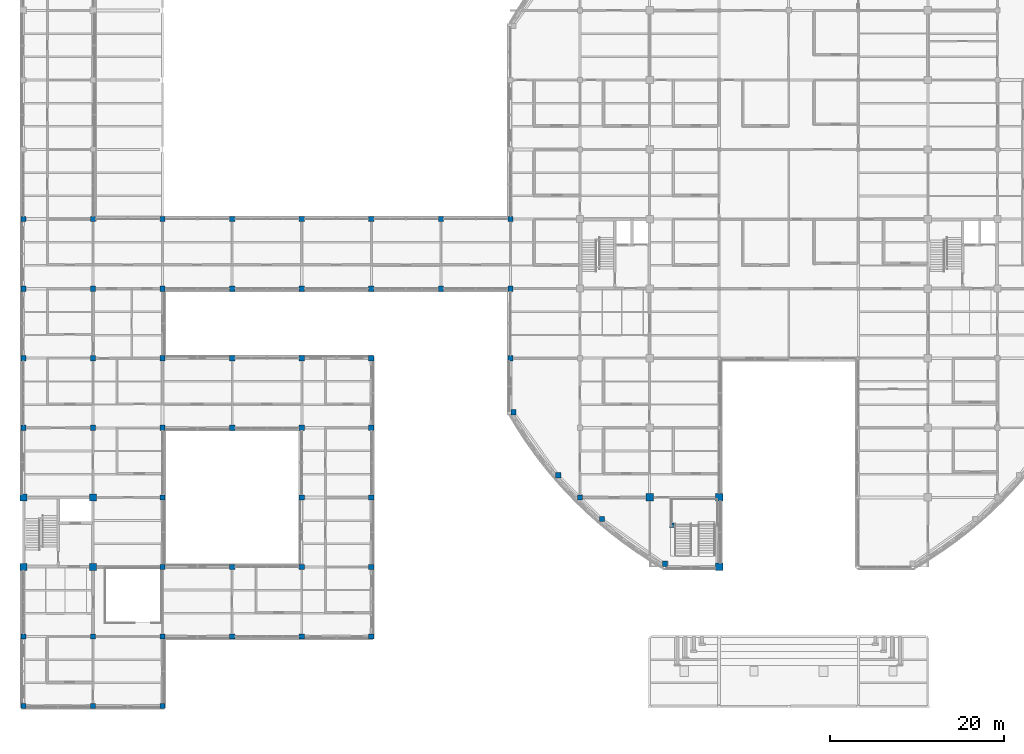
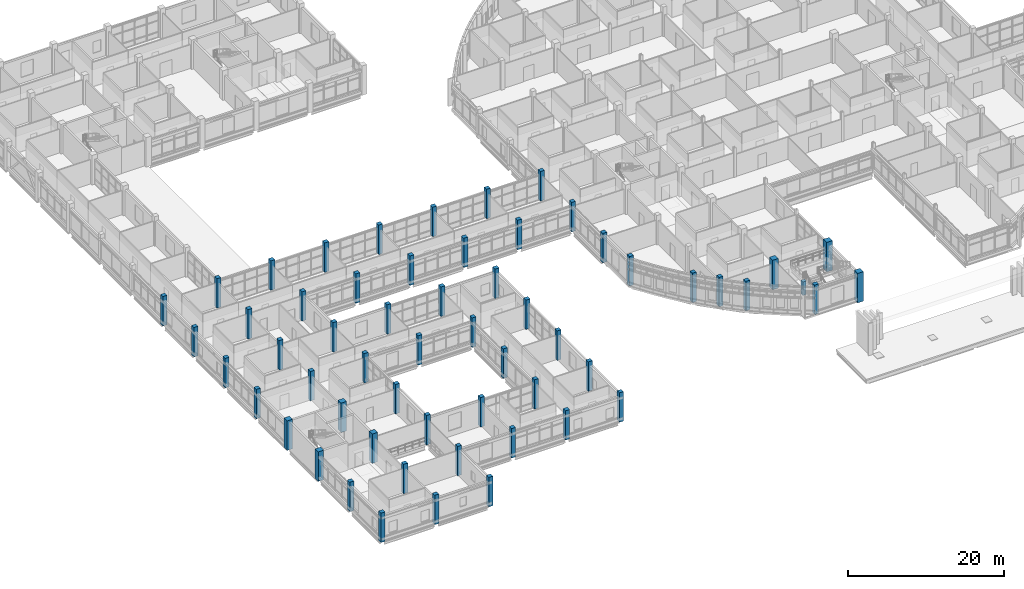
# One storey, part 1 of 121: 58 columns.
"""IFC4 building model written with IfcOpenShell, lengths in metres."""

from ifc_helpers import new_model, si_unit, derived_unit, direction, frame, origin, origin_2d, place, context, subcontext, project, spatial, rectangle, extrude, material, material_profile, profile_set, type_object, element, save


model = new_model("IFC4")

# Units and contexts
model_context = context("Model", 3, precision=1e-05, world=origin(), true_north=direction((0.0, 1.0)))
body_context = subcontext(model_context, "Body", "Model", "MODEL_VIEW")
ifc_project = project(units=[si_unit("LENGTHUNIT", "METRE"), si_unit("AREAUNIT", "SQUARE_METRE"), si_unit("VOLUMEUNIT", "CUBIC_METRE"), si_unit("PLANEANGLEUNIT", "RADIAN"), si_unit("MASSUNIT", "GRAM", prefix="KILO"), derived_unit("THERMALTRANSMITTANCEUNIT", [(si_unit("MASSUNIT", "GRAM", prefix="KILO"), 1), (si_unit("TIMEUNIT", "SECOND"), -3), (si_unit("THERMODYNAMICTEMPERATUREUNIT", "KELVIN"), -1)])], contexts=[model_context])

# Site, building, storey
site_placement = place(None, origin())
site = spatial("IfcSite", under=ifc_project, at=site_placement, CompositionType="ELEMENT")
building_placement = place(site_placement, origin())
building = spatial("IfcBuilding", under=site, at=building_placement, Name="Veyamyaing Civic Hall", CompositionType="ELEMENT")
storey_placement = place(building_placement, frame((0.0, 0.0, 5.280029296875)))
storey = spatial("IfcBuildingStorey", under=building, at=storey_placement, Name="L01", CompositionType="ELEMENT", Elevation=5.280029296875)

# Columns
ifc_material = material(Name="Concrete C45/55", Category="concrete")
ifc_material_profile_1 = material_profile(ifc_material, rectangle(XDim=0.85009765625, YDim=0.85009765625, at=origin_2d()), Name="RC-COL-850X850")
ifc_profile_set_1 = profile_set([ifc_material_profile_1], Name="Concrete C45/55")
column_type_1 = type_object("IfcColumnType", Name="C-01", PredefinedType="COLUMN", material=ifc_profile_set_1)
for number, where, z_axis, x_axis, name in (
    (1, (72.0, 24.0, 0.0), (0.0, 0.0, 1.0), (1.0, 0.0, 0.0), "Column C-01 10-D L01"),
    (2, (80.0, 16.0, 0.0), (0.0, 0.0, 1.0), (1.0, 0.0, 0.0), "Column C-01 11-C L01"),
    (3, (80.0, 24.0, 0.0), (0.0, 0.0, 1.0), (1.0, 0.0, 0.0), "Column C-01 11-D L01"),
):
    element("IfcColumn", number, at=place(storey_placement, frame(where, z_axis=z_axis, x_axis=x_axis)), inside=storey, type_object=column_type_1, Name=name, PredefinedType="COLUMN", context=body_context, shape_type="SweptSolid", body=[
        extrude(rectangle(XDim=0.85009765625, YDim=0.85009765625, at=origin_2d()), origin(), (0.0, 0.0, 1.0), 4.619873046875),
    ])
ifc_material_profile_2 = material_profile(ifc_material, rectangle(XDim=0.800048828125, YDim=0.800048828125, at=origin_2d()), Name="RC-COL-800X800")
ifc_profile_set_2 = profile_set([ifc_material_profile_2], Name="Concrete C45/55")
column_type_2 = type_object("IfcColumnType", Name="C-02", PredefinedType="COLUMN", material=ifc_profile_set_2)
for number, where, z_axis, x_axis, name in (
    (4, (0.0, 16.0, 0.0), (0.0, 0.0, 1.0), (1.0, 0.0, 0.0), "Column C-02 1-C L01"),
    (5, (0.0, 24.0, 0.0), (0.0, 0.0, 1.0), (1.0, 0.0, 0.0), "Column C-02 1-D L01"),
    (6, (8.0, 16.0, 0.0), (0.0, 0.0, 1.0), (1.0, 0.0, 0.0), "Column C-02 2-C L01"),
    (7, (8.0, 24.0, 0.0), (0.0, 0.0, 1.0), (1.0, 0.0, 0.0), "Column C-02 2-D L01"),
):
    element("IfcColumn", number, at=place(storey_placement, frame(where, z_axis=z_axis, x_axis=x_axis)), inside=storey, type_object=column_type_2, Name=name, PredefinedType="COLUMN", context=body_context, shape_type="SweptSolid", body=[
        extrude(rectangle(XDim=0.800048828125, YDim=0.800048828125, at=origin_2d()), origin(), (0.0, 0.0, 1.0), 4.619873046875),
    ])
ifc_material_profile_3 = material_profile(ifc_material, rectangle(XDim=0.60009765625, YDim=0.60009765625, at=origin_2d()), Name="RC-COL-600X600")
ifc_profile_set_3 = profile_set([ifc_material_profile_3], Name="Concrete C45/55")
column_type_3 = type_object("IfcColumnType", Name="C-06", PredefinedType="COLUMN", material=ifc_profile_set_3)
for number, where, z_axis, x_axis, name in (
    (8, (0.0, 0.0, 0.0), (0.0, 0.0, 1.0), (1.0, 0.0, 0.0), "Column C-06 1-A L01"),
    (9, (0.0, 8.0, 0.0), (0.0, 0.0, 1.0), (1.0, 0.0, 0.0), "Column C-06 1-B L01"),
    (10, (0.0, 32.0, 0.0), (0.0, 0.0, 1.0), (1.0, 0.0, 0.0), "Column C-06 1-E L01"),
    (11, (0.0, 40.0, 0.0), (0.0, 0.0, 1.0), (1.0, 0.0, 0.0), "Column C-06 1-F L01"),
    (12, (0.0, 48.0, 0.0), (0.0, 0.0, 1.0), (1.0, 0.0, 0.0), "Column C-06 1-G L01"),
    (13, (0.0, 56.0, 0.0), (0.0, 0.0, 1.0), (1.0, 0.0, 0.0), "Column C-06 1-H L01"),
    (14, (8.0, 0.0, 0.0), (0.0, 0.0, 1.0), (1.0, 0.0, 0.0), "Column C-06 2-A L01"),
    (15, (8.0, 8.0, 0.0), (0.0, 0.0, 1.0), (1.0, 0.0, 0.0), "Column C-06 2-B L01"),
    (16, (8.0, 32.0, 0.0), (0.0, 0.0, 1.0), (1.0, 0.0, 0.0), "Column C-06 2-E L01"),
    (17, (8.0, 40.0, 0.0), (0.0, 0.0, 1.0), (1.0, 0.0, 0.0), "Column C-06 2-F L01"),
    (18, (8.0, 48.0, 0.0), (0.0, 0.0, 1.0), (1.0, 0.0, 0.0), "Column C-06 2-G L01"),
    (19, (8.0, 56.0, 0.0), (0.0, 0.0, 1.0), (1.0, 0.0, 0.0), "Column C-06 2-H L01"),
    (20, (16.0, 0.0, 0.0), (0.0, 0.0, 1.0), (1.0, 0.0, 0.0), "Column C-06 3-A L01"),
    (21, (16.0, 8.0, 0.0), (0.0, 0.0, 1.0), (1.0, 0.0, 0.0), "Column C-06 3-B L01"),
    (22, (16.0, 16.0, 0.0), (0.0, 0.0, 1.0), (1.0, 0.0, 0.0), "Column C-06 3-C L01"),
    (23, (16.0, 24.0, 0.0), (0.0, 0.0, 1.0), (1.0, 0.0, 0.0), "Column C-06 3-D L01"),
    (24, (16.0, 32.0, 0.0), (0.0, 0.0, 1.0), (1.0, 0.0, 0.0), "Column C-06 3-E L01"),
    (25, (16.0, 40.0, 0.0), (0.0, 0.0, 1.0), (1.0, 0.0, 0.0), "Column C-06 3-F L01"),
    (26, (16.0, 48.0, 0.0), (0.0, 0.0, 1.0), (1.0, 0.0, 0.0), "Column C-06 3-G L01"),
    (27, (16.0, 56.0, 0.0), (0.0, 0.0, 1.0), (1.0, 0.0, 0.0), "Column C-06 3-H L01"),
    (28, (24.0, 8.0, 0.0), (0.0, 0.0, 1.0), (1.0, 0.0, 0.0), "Column C-06 4-B L01"),
    (29, (24.0, 16.0, 0.0), (0.0, 0.0, 1.0), (1.0, 0.0, 0.0), "Column C-06 4-C L01"),
    (30, (24.0, 32.0, 0.0), (0.0, 0.0, 1.0), (1.0, 0.0, 0.0), "Column C-06 4-E L01"),
    (31, (24.0, 40.0, 0.0), (0.0, 0.0, 1.0), (1.0, 0.0, 0.0), "Column C-06 4-F L01"),
    (32, (24.0, 48.0, 0.0), (0.0, 0.0, 1.0), (1.0, 0.0, 0.0), "Column C-06 4-G L01"),
    (33, (24.0, 56.0, 0.0), (0.0, 0.0, 1.0), (1.0, 0.0, 0.0), "Column C-06 4-H L01"),
    (34, (32.0, 8.0, 0.0), (0.0, 0.0, 1.0), (1.0, 0.0, 0.0), "Column C-06 5-B L01"),
    (35, (32.0, 16.0, 0.0), (0.0, 0.0, 1.0), (1.0, 0.0, 0.0), "Column C-06 5-C L01"),
    (36, (32.0, 24.0, 0.0), (0.0, 0.0, 1.0), (1.0, 0.0, 0.0), "Column C-06 5-D L01"),
    (37, (32.0, 32.0, 0.0), (0.0, 0.0, 1.0), (1.0, 0.0, 0.0), "Column C-06 5-E L01"),
    (38, (32.0, 40.0, 0.0), (0.0, 0.0, 1.0), (1.0, 0.0, 0.0), "Column C-06 5-F L01"),
    (39, (32.0, 48.0, 0.0), (0.0, 0.0, 1.0), (1.0, 0.0, 0.0), "Column C-06 5-G L01"),
    (40, (32.0, 56.0, 0.0), (0.0, 0.0, 1.0), (1.0, 0.0, 0.0), "Column C-06 5-H L01"),
    (41, (40.0, 8.0, 0.0), (0.0, 0.0, 1.0), (1.0, 0.0, 0.0), "Column C-06 6-B L01"),
    (42, (40.0, 16.0, 0.0), (0.0, 0.0, 1.0), (1.0, 0.0, 0.0), "Column C-06 6-C L01"),
    (43, (40.0, 24.0, 0.0), (0.0, 0.0, 1.0), (1.0, 0.0, 0.0), "Column C-06 6-D L01"),
    (44, (40.0, 32.0, 0.0), (0.0, 0.0, 1.0), (1.0, 0.0, 0.0), "Column C-06 6-E L01"),
    (45, (40.0, 40.0, 0.0), (0.0, 0.0, 1.0), (1.0, 0.0, 0.0), "Column C-06 6-F L01"),
    (46, (40.0, 48.0, 0.0), (0.0, 0.0, 1.0), (1.0, 0.0, 0.0), "Column C-06 6-G L01"),
    (47, (40.0, 56.0, 0.0), (0.0, 0.0, 1.0), (1.0, 0.0, 0.0), "Column C-06 6-H L01"),
    (48, (48.0, 48.0, 0.0), (0.0, 0.0, 1.0), (1.0, 0.0, 0.0), "Column C-06 7-G L01"),
    (49, (48.0, 56.0, 0.0), (0.0, 0.0, 1.0), (1.0, 0.0, 0.0), "Column C-06 7-H L01"),
    (50, (56.0, 40.0, 0.0), (0.0, 0.0, 1.0), (1.0, 0.0, 0.0), "Column C-06 8-F L01"),
    (51, (56.0, 48.0, 0.0), (0.0, 0.0, 1.0), (1.0, 0.0, 0.0), "Column C-06 8-G L01"),
    (52, (56.0, 56.0, 0.0), (0.0, 0.0, 1.0), (1.0, 0.0, 0.0), "Column C-06 8-H L01"),
    (53, (64.0, 24.0, 0.0), (0.0, 0.0, 1.0), (1.0, 0.0, 0.0), "Column C-06 9-D L01"),
    (54, (56.36376953125, 33.779296875, 0.0), (0.0, 0.0, 1.0), (1.0, 0.0, 0.0), "Curved corner column C-06 ARC-SW-00 L01"),
    (55, (61.5048828125, 26.533447265625, 0.0), (0.0, 0.0, 1.0), (1.0, 0.0, 0.0), "Curved corner column C-06 ARC-SW-05 L01"),
    (56, (66.533447265625, 21.5048828125, 0.0), (0.0, 0.0, 1.0), (1.0, 0.0, 0.0), "Curved corner column C-06 ARC-SW-09 L01"),
    (57, (73.779296875, 16.36376953125, 0.0), (0.0, 0.0, 1.0), (1.0, 0.0, 0.0), "Curved corner column C-06 ARC-SW-14 L01"),
):
    element("IfcColumn", number, at=place(storey_placement, frame(where, z_axis=z_axis, x_axis=x_axis)), inside=storey, type_object=column_type_3, Name=name, PredefinedType="COLUMN", context=body_context, shape_type="SweptSolid", body=[
        extrude(rectangle(XDim=0.60009765625, YDim=0.60009765625, at=origin_2d()), origin(), (0.0, 0.0, 1.0), 4.619873046875),
    ])
ifc_material_profile_4 = material_profile(ifc_material, rectangle(XDim=0.5, YDim=0.5, at=origin_2d()), Name="RC-COL-500X500")
ifc_profile_set_4 = profile_set([ifc_material_profile_4], Name="Concrete C45/55")
column_type_4 = type_object("IfcColumnType", Name="C-15", PredefinedType="COLUMN", material=ifc_profile_set_4)
column_placement = place(storey_placement, frame((74.550048828125, 20.780029296875, 0.0), z_axis=(0.0, 0.0, 1.0), x_axis=(1.0, 0.0, 0.0)))
element("IfcColumn", 58, at=column_placement, inside=storey, type_object=column_type_4, Name="Monumental stair landing column C-15 ST08-SW L01", PredefinedType="COLUMN", context=body_context, shape_type="SweptSolid", body=[
    extrude(rectangle(XDim=0.5, YDim=0.5, at=origin_2d()), origin(), (0.0, 0.0, 1.0), 2.114990234375),
])

save(model, "model.ifc")
